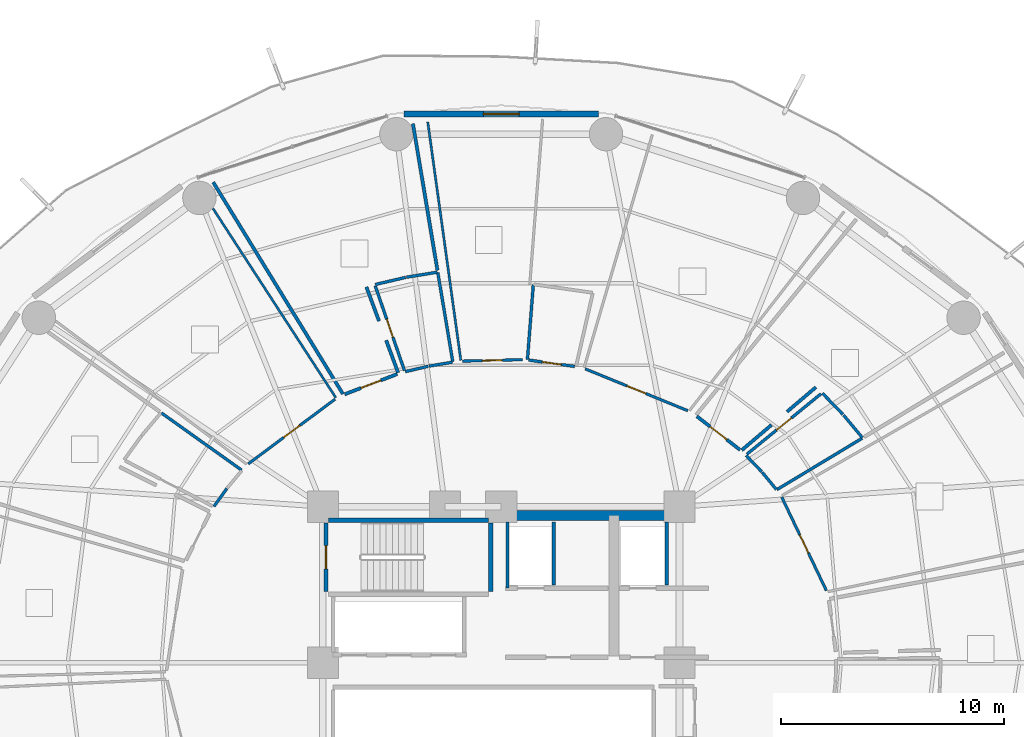
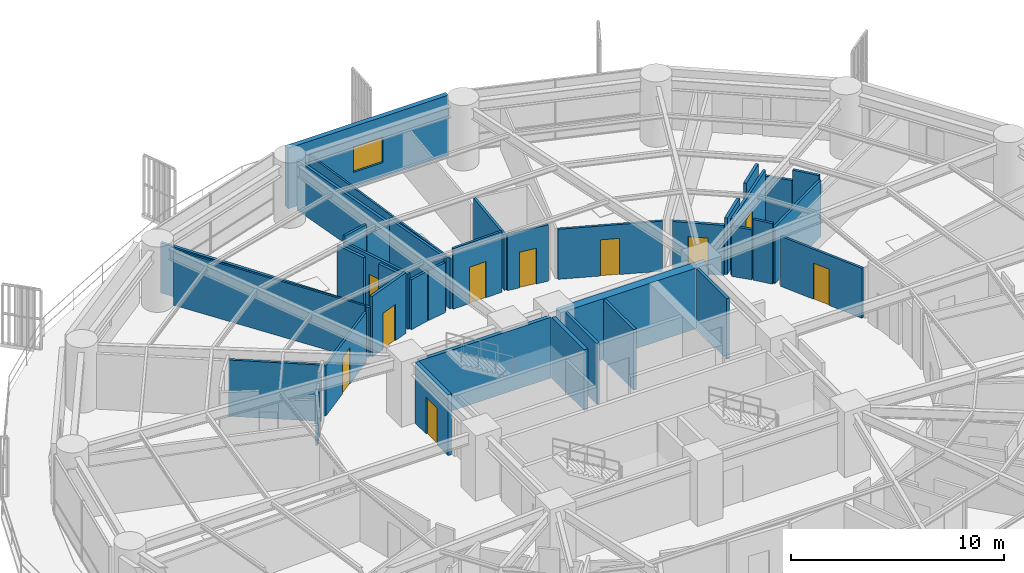
# One storey, part 26 of 33: 38 walls, 10 doors, 1 window, 11 openings.
"""IFC4 building model written with IfcOpenShell, lengths in metres."""

from ifc_helpers import new_model, si_unit, direction, frame, frame_2d, origin, place, context, subcontext, project, spatial, rectangle, extrude, material, layer, layer_set, type_object, element, fill, save


model = new_model("IFC4")

# Units and contexts
model_context = context("Model", 3, precision=1e-05, world=origin(), true_north=direction((0.0, 1.0)))
body_context = subcontext(model_context, "Body", "Model", "MODEL_VIEW")
ifc_project = project(units=[si_unit("LENGTHUNIT", "METRE"), si_unit("AREAUNIT", "SQUARE_METRE"), si_unit("VOLUMEUNIT", "CUBIC_METRE"), si_unit("PLANEANGLEUNIT", "RADIAN"), si_unit("MASSUNIT", "GRAM", prefix="KILO")], contexts=[model_context])

# Site, building, storey
site_placement = place(None, origin())
site = spatial("IfcSite", under=ifc_project, at=site_placement, CompositionType="ELEMENT")
building_placement = place(site_placement, origin())
building = spatial("IfcBuilding", under=site, at=building_placement, Name="Kelanora Arch Commons", CompositionType="ELEMENT")
storey_placement = place(building_placement, frame((0.0, 0.0, 37.5)))
storey = spatial("IfcBuildingStorey", under=building, at=storey_placement, Name="L09", CompositionType="ELEMENT", Elevation=37.5)

# Walls
ifc_material_1 = material(Name="Autoclaved aerated concrete blockwork with fire plaster", Category="masonry")
ifc_layer_1 = layer(ifc_material_1, 0.14990234375)
ifc_layer_set_1 = layer_set([ifc_layer_1], Name="Autoclaved aerated concrete blockwork with fire plaster")
wall_type_1 = type_object("IfcWallType", Name="W-COMP-150", PredefinedType="PARTITIONING", material=ifc_layer_set_1)
wall_1_placement = place(storey_placement, frame((74.280029296875, 61.35009765625, 0.0), z_axis=(0.0, 0.0, 1.0), x_axis=(0.0, 1.0, 0.0)))
element("IfcWall", 1, at=wall_1_placement, inside=storey, type_object=wall_type_1, Name="Firefighting Lift 1 West Shaft Wall L09", PredefinedType="PARTITIONING", context=body_context, shape_type="SweptSolid", body=[
    extrude(rectangle(XDim=2.969970703125, YDim=0.14990234375, at=frame_2d((1.48486328125, 0.0))), origin(), (0.0, 0.0, 1.0), 3.47998046875),
])
for number, where, z_axis, x_axis, name in (
    (2, (76.360107421875, 61.47998046875, 0.0), (0.0, 0.0, 1.0), (0.0, 1.0, 0.0), "Firefighting Lift 1 East Shaft Wall L09"),
    (3, (81.419921875, 61.47998046875, 0.0), (0.0, 0.0, 1.0), (0.0, 1.0, 0.0), "Firefighting Lift 2 East Shaft Wall L09"),
):
    element("IfcWall", number, at=place(storey_placement, frame(where, z_axis=z_axis, x_axis=x_axis)), inside=storey, type_object=wall_type_1, Name=name, PredefinedType="PARTITIONING", context=body_context, shape_type="SweptSolid", body=[
        extrude(rectangle(XDim=2.840087890625, YDim=0.14990234375, at=frame_2d((1.419921875, 0.0))), origin(), (0.0, 0.0, 1.0), 3.47998046875),
    ])

# Wall, opening, door
wall_2_placement = place(storey_placement, frame((84.716552734375, 67.5498046875, 0.0), z_axis=(0.0, 0.0, 1.0), x_axis=(-0.78945378775, 0.613810000739, 0.0)))
wall_2 = element("IfcWall", 4, at=wall_2_placement, inside=storey, type_object=wall_type_1, Name="Co-Living Studio L09-06 Entry Partition", PredefinedType="PARTITIONING", context=body_context, shape_type="SweptSolid", body=[
    extrude(rectangle(XDim=2.458984375, YDim=0.14990234375, at=frame_2d((1.2294921875, 0.0))), origin(), (0.0, 0.0, 1.0), 2.875),
])
opening_1_placement = place(wall_2_placement, frame((0.75390625, 0.0, 0.0)))
opening_1 = element("IfcOpeningElement", 5, at=opening_1_placement, cuts=wall_2, Name="Opening D-CLU1", PredefinedType="OPENING", context=body_context, shape_type="SweptSolid", body=[
    extrude(rectangle(XDim=0.949951171875, YDim=2.080078125, at=frame_2d((0.47509765625, 1.0400390625))), frame((0.0, 0.0849609375, 0.0), z_axis=(0.0, -1.0, 0.0), x_axis=(1.0, 0.0, 0.0)), (0.0, 0.0, 1.0), 0.169921875),
])
ifc_material_2 = material(Name="Solid-core acoustic timber cluster entry fire door", Category="wood")
door_type_1 = type_object("IfcDoorType", Name="D-CLU-95", OperationType="NOTDEFINED", PredefinedType="DOOR", material=ifc_material_2)
door_1_placement = place(opening_1_placement, origin())
door_1 = element("IfcDoor", 6, at=door_1_placement, inside=storey, type_object=door_type_1, Name="Co-Living Studio L09-06 Door", OperationType="SINGLE_SWING_RIGHT", OverallHeight=2.080078125, OverallWidth=0.949951171875, PredefinedType="DOOR", context=body_context, shape_type="SweptSolid", body=[
    extrude(rectangle(XDim=0.949951171875, YDim=2.080078125, at=frame_2d((0.47509765625, 1.0400390625))), frame((0.0, 0.02490234375, 0.0), z_axis=(0.0, -1.0, 0.0), x_axis=(1.0, 0.0, 0.0)), (0.0, 0.0, 1.0), 0.050048828125),
])
fill(opening_1, door_1)

wall_3_placement = place(storey_placement, frame((69.333984375, 70.951416015625, 0.0), z_axis=(0.0, 0.0, 1.0), x_axis=(-0.933283302704, -0.35914102647, 0.0)))
wall_3 = element("IfcWall", 7, at=wall_3_placement, inside=storey, type_object=wall_type_1, Name="Co-Living Studio L09-09 Entry Partition", PredefinedType="PARTITIONING", context=body_context, shape_type="SweptSolid", body=[
    extrude(rectangle(XDim=2.525390625, YDim=0.14990234375, at=frame_2d((1.2626953125, 0.0))), origin(), (0.0, 0.0, 1.0), 3.47998046875),
])
opening_2_placement = place(wall_3_placement, frame((0.7880859375, 0.0, 0.0)))
opening_2 = element("IfcOpeningElement", 8, at=opening_2_placement, cuts=wall_3, Name="Opening D-CLU1", PredefinedType="OPENING", context=body_context, shape_type="SweptSolid", body=[
    extrude(rectangle(XDim=0.949951171875, YDim=2.080078125, at=frame_2d((0.47509765625, 1.0400390625))), frame((0.0, 0.0849609375, 0.0), z_axis=(0.0, -1.0, 0.0), x_axis=(1.0, 0.0, 0.0)), (0.0, 0.0, 1.0), 0.169921875),
])
door_2_placement = place(opening_2_placement, origin())
door_2 = element("IfcDoor", 9, at=door_2_placement, inside=storey, type_object=door_type_1, Name="Co-Living Studio L09-09 Door", OperationType="SINGLE_SWING_LEFT", OverallHeight=2.080078125, OverallWidth=0.949951171875, PredefinedType="DOOR", context=body_context, shape_type="SweptSolid", body=[
    extrude(rectangle(XDim=0.949951171875, YDim=2.080078125, at=frame_2d((0.47509765625, 1.0400390625))), frame((0.0, 0.02490234375, 0.0), z_axis=(0.0, -1.0, 0.0), x_axis=(1.0, 0.0, 0.0)), (0.0, 0.0, 1.0), 0.050048828125),
])
fill(opening_2, door_2)

# Walls
wall_4_placement = place(storey_placement, frame((88.12158203125, 70.364990234375, 0.0), z_axis=(0.0, 0.0, 1.0), x_axis=(-0.762159009155, -0.647389870761, 0.0)))
element("IfcWall", 10, at=wall_4_placement, inside=storey, type_object=wall_type_1, Name="Co-Living Studio L09-06 Enclosure Partition 7", PredefinedType="PARTITIONING", context=body_context, shape_type="SweptSolid", body=[
    extrude(rectangle(XDim=1.69970703125, YDim=0.14990234375, at=frame_2d((0.849853515625, 0.0))), origin(), (0.0, 0.0, 1.0), 3.47998046875),
])
wall_5_placement = place(storey_placement, frame((86.124755859375, 68.6689453125, 0.0), z_axis=(0.0, 0.0, 1.0), x_axis=(-0.762122187233, -0.647433217967, 0.0)))
element("IfcWall", 11, at=wall_5_placement, inside=storey, type_object=wall_type_1, Name="Co-Living Studio L09-06 Enclosure Partition 7", PredefinedType="PARTITIONING", context=body_context, shape_type="SweptSolid", body=[
    extrude(rectangle(XDim=1.74560546875, YDim=0.14990234375, at=frame_2d((0.872802734375, 0.0))), origin(), (0.0, 0.0, 1.0), 3.235107421875),
])
wall_6_placement = place(storey_placement, frame((66.900146484375, 70.05712890625, 0.0), z_axis=(0.0, 0.0, 1.0), x_axis=(-0.522434140672, 0.852679640111, 0.0)))
element("IfcWall", 12, at=wall_6_placement, inside=storey, type_object=wall_type_1, Name="Co-Living Studio L09-09 Enclosure Partition 2", PredefinedType="PARTITIONING", context=body_context, shape_type="SweptSolid", body=[
    extrude(rectangle(XDim=11.14453125, YDim=0.14990234375, at=frame_2d((5.572265625, 0.0))), origin(), (0.0, 0.0, 1.0), 2.875),
])
wall_7_placement = place(storey_placement, frame((70.03955078125, 82.1845703125, 0.0), z_axis=(0.0, 0.0, 1.0), x_axis=(0.165051905183, -0.986284882068, 0.0)))
element("IfcWall", 13, at=wall_7_placement, inside=storey, type_object=wall_type_1, Name="Co-Living Studio L09-09 Enclosure Partition 5", PredefinedType="PARTITIONING", context=body_context, shape_type="SweptSolid", body=[
    extrude(rectangle(XDim=6.669677734375, YDim=0.14990234375, at=frame_2d((3.3349609375, 0.0))), origin(), (0.0, 0.0, 1.0), 2.875),
])
wall_8_placement = place(storey_placement, frame((67.952880859375, 74.859619140625, 0.0), z_axis=(0.0, 0.0, 1.0), x_axis=(0.346856200849, -0.937918320502, 0.0)))
element("IfcWall", 14, at=wall_8_placement, inside=storey, type_object=wall_type_1, Name="Co-Living Studio L09-09 Enclosure Partition 7", PredefinedType="PARTITIONING", context=body_context, shape_type="SweptSolid", body=[
    extrude(rectangle(XDim=1.631591796875, YDim=0.14990234375, at=frame_2d((0.81591796875, 0.0))), origin(), (0.0, 0.0, 1.0), 3.175048828125),
])
wall_9_placement = place(storey_placement, frame((68.837890625, 72.46630859375, 0.0), z_axis=(0.0, 0.0, 1.0), x_axis=(0.346827635281, -0.937928883981, 0.0)))
element("IfcWall", 15, at=wall_9_placement, inside=storey, type_object=wall_type_1, Name="Co-Living Studio L09-09 Enclosure Partition 7", PredefinedType="PARTITIONING", context=body_context, shape_type="SweptSolid", body=[
    extrude(rectangle(XDim=1.55224609375, YDim=0.14990234375, at=frame_2d((0.776123046875, 0.0))), origin(), (0.0, 0.0, 1.0), 3.235107421875),
])
ifc_material_3 = material(Name="Concrete C60/75", Category="concrete")
ifc_layer_2 = layer(ifc_material_3, 0.449951171875)
ifc_layer_set_2 = layer_set([ifc_layer_2], Name="Concrete C60/75")
wall_type_2 = type_object("IfcWallType", Name="W-CORE-450", PredefinedType="SHEAR", material=ifc_layer_set_2)
wall_10_placement = place(storey_placement, frame((74.0, 64.60009765625, 0.0), z_axis=(0.0, 0.0, 1.0), x_axis=(1.0, 0.0, 0.0)))
element("IfcWall", 16, at=wall_10_placement, inside=storey, type_object=wall_type_2, Name="Core Shear Spine L09-CN-E", PredefinedType="SHEAR", context=body_context, shape_type="SweptSolid", body=[
    extrude(rectangle(XDim=8.0, YDim=0.449951171875, at=frame_2d((4.0, 0.0))), origin(), (0.0, 0.0, 1.0), 3.489990234375),
])

# Wall, opening, window
ifc_material_4 = material(Name="Precast concrete C40/50 with terracotta rainscreen", Category="masonry")
ifc_layer_3 = layer(ifc_material_4, 0.260009765625)
ifc_layer_set_3 = layer_set([ifc_layer_3], Name="Precast concrete C40/50 with terracotta rainscreen")
wall_type_3 = type_object("IfcWallType", Name="W-EXT-TC", PredefinedType="SOLIDWALL", material=ifc_layer_set_3)
wall_11_placement = place(storey_placement, frame((78.35595703125, 82.6201171875, 0.0), z_axis=(0.0, 0.0, 1.0), x_axis=(-1.0, 0.0, 0.0)))
wall_11 = element("IfcWall", 17, at=wall_11_placement, inside=storey, type_object=wall_type_3, Name="Terracotta Exterior Wall L09-B04", PredefinedType="SOLIDWALL", context=body_context, shape_type="SweptSolid", body=[
    extrude(rectangle(XDim=8.7119140625, YDim=0.260009765625, at=frame_2d((4.35595703125, 0.0))), origin(), (0.0, 0.0, 1.0), 3.47509765625),
])
opening_3_placement = place(wall_11_placement, frame((3.555908203125, 0.0, 0.85009765625)))
opening_3 = element("IfcOpeningElement", 18, at=opening_3_placement, cuts=wall_11, Name="Opening WN-01", PredefinedType="OPENING", context=body_context, shape_type="SweptSolid", body=[
    extrude(rectangle(XDim=1.60009765625, YDim=1.449951171875, at=frame_2d((0.800048828125, 0.72509765625))), frame((0.0, 0.14013671875, 0.0), z_axis=(0.0, -1.0, 0.0), x_axis=(1.0, 0.0, 0.0)), (0.0, 0.0, 1.0), 0.280029296875),
])
ifc_material_5 = material(Name="Terracotta-anodised aluminium frame with operable low-E glazing", Category="masonry")
window_type = type_object("IfcWindowType", Name="WIN-CL-18", PartitioningType="DOUBLE_PANEL_VERTICAL", PredefinedType="WINDOW", material=ifc_material_5)
window_placement = place(opening_3_placement, origin())
window = element("IfcWindow", 19, at=window_placement, inside=storey, type_object=window_type, Name="Co-Living Operable Window L09-B04", OverallHeight=1.449951171875, OverallWidth=1.60009765625, PartitioningType="SINGLE_PANEL", PredefinedType="WINDOW", context=body_context, shape_type="SweptSolid", body=[
    extrude(rectangle(XDim=1.60009765625, YDim=1.449951171875, at=frame_2d((0.800048828125, 0.72509765625))), frame((0.0, 0.030029296875, 0.0), z_axis=(0.0, -1.0, 0.0), x_axis=(1.0, 0.0, 0.0)), (0.0, 0.0, 1.0), 0.06005859375),
])
fill(opening_3, window)

# Walls
ifc_material_6 = material(Name="Lightweight fire-rated acoustic stud partition")
ifc_layer_4 = layer(ifc_material_6, 0.10009765625)
ifc_layer_set_4 = layer_set([ifc_layer_4], Name="Lightweight fire-rated acoustic stud partition")
wall_type_4 = type_object("IfcWallType", Name="W-PART-100", PredefinedType="PARTITIONING", material=ifc_layer_set_4)
wall_12_placement = place(storey_placement, frame((72.1884765625, 71.570556640625, 0.0), z_axis=(0.0, 0.0, 1.0), x_axis=(-0.137456200911, 0.990507845921, 0.0)))
element("IfcWall", 20, at=wall_12_placement, inside=storey, type_object=wall_type_4, Name="Tutorial Study Alcove L09-08 Enclosure Partition 2", PredefinedType="PARTITIONING", context=body_context, shape_type="SweptSolid", body=[
    extrude(rectangle(XDim=10.79541015625, YDim=0.10009765625, at=frame_2d((5.397705078125, 0.0))), origin(), (0.0, 0.0, 1.0), 2.875),
])
wall_13_placement = place(storey_placement, frame((61.071044921875, 78.377197265625, 0.0), z_axis=(0.0, 0.0, 1.0), x_axis=(0.544546108356, -0.838730907904, 0.0)))
element("IfcWall", 21, at=wall_13_placement, inside=storey, type_object=wall_type_4, Name="Social Sky Lounge L09-10 Enclosure Partition 4", PredefinedType="PARTITIONING", context=body_context, shape_type="SweptSolid", body=[
    extrude(rectangle(XDim=10.111328125, YDim=0.10009765625, at=frame_2d((5.0556640625, 0.0))), origin(), (0.0, 0.0, 1.0), 3.175048828125),
])

# Wall, opening, door
ifc_material_7 = material(Name="Acoustic twin-stud fire-rated gypsum partition")
ifc_layer_5 = layer(ifc_material_7, 0.1201171875)
ifc_layer_set_5 = layer_set([ifc_layer_5], Name="Acoustic twin-stud fire-rated gypsum partition")
wall_type_5 = type_object("IfcWallType", Name="W-PART-120", PredefinedType="PARTITIONING", material=ifc_layer_set_5)
wall_14_placement = place(storey_placement, frame((88.589111328125, 61.236083984375, 0.0), z_axis=(0.0, 0.0, 1.0), x_axis=(-0.430743204219, 0.902474538155, 0.0)))
wall_14 = element("IfcWall", 22, at=wall_14_placement, inside=storey, type_object=wall_type_5, Name="Social Sky Lounge L09-05 Entry Partition", PredefinedType="PARTITIONING", context=body_context, shape_type="SweptSolid", body=[
    extrude(rectangle(XDim=4.64599609375, YDim=0.1201171875, at=frame_2d((2.322998046875, 0.0))), origin(), (0.0, 0.0, 1.0), 2.875),
])
opening_4_placement = place(wall_14_placement, frame((1.873046875, 0.0, 0.0)))
opening_4 = element("IfcOpeningElement", 23, at=opening_4_placement, cuts=wall_14, Name="Opening D-RM1", PredefinedType="OPENING", context=body_context, shape_type="SweptSolid", body=[
    extrude(rectangle(XDim=0.89990234375, YDim=2.080078125, at=frame_2d((0.449951171875, 1.0400390625))), frame((0.0, 0.070068359375, 0.0), z_axis=(0.0, -1.0, 0.0), x_axis=(1.0, 0.0, 0.0)), (0.0, 0.0, 1.0), 0.14013671875),
])
ifc_material_8 = material(Name="Acoustic fire-rated timber study and lounge door", Category="wood")
door_type_2 = type_object("IfcDoorType", Name="D-ROOM-90", OperationType="NOTDEFINED", PredefinedType="DOOR", material=ifc_material_8)
door_3_placement = place(opening_4_placement, origin())
door_3 = element("IfcDoor", 24, at=door_3_placement, inside=storey, type_object=door_type_2, Name="Social Sky Lounge L09-05 Door", OperationType="SINGLE_SWING_RIGHT", OverallHeight=2.080078125, OverallWidth=0.89990234375, PredefinedType="DOOR", context=body_context, shape_type="SweptSolid", body=[
    extrude(rectangle(XDim=0.89990234375, YDim=2.080078125, at=frame_2d((0.449951171875, 1.0400390625))), frame((0.0, 0.02490234375, 0.0), z_axis=(0.0, -1.0, 0.0), x_axis=(1.0, 0.0, 0.0)), (0.0, 0.0, 1.0), 0.050048828125),
])
fill(opening_4, door_3)

wall_15_placement = place(storey_placement, frame((82.370361328125, 69.30859375, 0.0), z_axis=(0.0, 0.0, 1.0), x_axis=(-0.925986810505, 0.377555859139, 0.0)))
wall_15 = element("IfcWall", 25, at=wall_15_placement, inside=storey, type_object=wall_type_5, Name="Quiet Seminar Study Room L09-07 Entry Partition", PredefinedType="PARTITIONING", context=body_context, shape_type="SweptSolid", body=[
    extrude(rectangle(XDim=4.970703125, YDim=0.1201171875, at=frame_2d((2.4853515625, 0.0))), origin(), (0.0, 0.0, 1.0), 2.875),
])
opening_5_placement = place(wall_15_placement, frame((2.034912109375, 0.0, 0.0)))
opening_5 = element("IfcOpeningElement", 26, at=opening_5_placement, cuts=wall_15, Name="Opening D-RM1", PredefinedType="OPENING", context=body_context, shape_type="SweptSolid", body=[
    extrude(rectangle(XDim=0.89990234375, YDim=2.080078125, at=frame_2d((0.449951171875, 1.0400390625))), frame((0.0, 0.070068359375, 0.0), z_axis=(0.0, -1.0, 0.0), x_axis=(1.0, 0.0, 0.0)), (0.0, 0.0, 1.0), 0.14013671875),
])
door_4_placement = place(opening_5_placement, origin())
door_4 = element("IfcDoor", 27, at=door_4_placement, inside=storey, type_object=door_type_2, Name="Quiet Seminar Study Room L09-07 Door", OperationType="SINGLE_SWING_LEFT", OverallHeight=2.080078125, OverallWidth=0.89990234375, PredefinedType="DOOR", context=body_context, shape_type="SweptSolid", body=[
    extrude(rectangle(XDim=0.89990234375, YDim=2.080078125, at=frame_2d((0.449951171875, 1.0400390625))), frame((0.0, 0.02490234375, 0.0), z_axis=(0.0, -1.0, 0.0), x_axis=(1.0, 0.0, 0.0)), (0.0, 0.0, 1.0), 0.050048828125),
])
fill(opening_5, door_4)

wall_16_placement = place(storey_placement, frame((74.958984375, 71.59765625, 0.0), z_axis=(0.0, 0.0, 1.0), x_axis=(-0.999709782288, -0.024090479411, 0.0)))
wall_16 = element("IfcWall", 28, at=wall_16_placement, inside=storey, type_object=wall_type_5, Name="Tutorial Study Alcove L09-08 Entry Partition", PredefinedType="PARTITIONING", context=body_context, shape_type="SweptSolid", body=[
    extrude(rectangle(XDim=2.705810546875, YDim=0.1201171875, at=frame_2d((1.35302734375, 0.0))), origin(), (0.0, 0.0, 1.0), 3.47998046875),
])
opening_6_placement = place(wall_16_placement, frame((0.903076171875, 0.0, 0.0)))
opening_6 = element("IfcOpeningElement", 29, at=opening_6_placement, cuts=wall_16, Name="Opening D-RM1", PredefinedType="OPENING", context=body_context, shape_type="SweptSolid", body=[
    extrude(rectangle(XDim=0.89990234375, YDim=2.080078125, at=frame_2d((0.449951171875, 1.0400390625))), frame((0.0, 0.070068359375, 0.0), z_axis=(0.0, -1.0, 0.0), x_axis=(1.0, 0.0, 0.0)), (0.0, 0.0, 1.0), 0.14013671875),
])
door_5_placement = place(opening_6_placement, origin())
door_5 = element("IfcDoor", 30, at=door_5_placement, inside=storey, type_object=door_type_2, Name="Tutorial Study Alcove L09-08 Door", OperationType="SINGLE_SWING_LEFT", OverallHeight=2.080078125, OverallWidth=0.89990234375, PredefinedType="DOOR", context=body_context, shape_type="SweptSolid", body=[
    extrude(rectangle(XDim=0.89990234375, YDim=2.080078125, at=frame_2d((0.449951171875, 1.0400390625))), frame((0.0, 0.02490234375, 0.0), z_axis=(0.0, -1.0, 0.0), x_axis=(1.0, 0.0, 0.0)), (0.0, 0.0, 1.0), 0.050048828125),
])
fill(opening_6, door_5)

wall_17_placement = place(storey_placement, frame((66.55078125, 69.8271484375, 0.0), z_axis=(0.0, 0.0, 1.0), x_axis=(-0.801966818386, -0.597368581537, 0.0)))
wall_17 = element("IfcWall", 31, at=wall_17_placement, inside=storey, type_object=wall_type_5, Name="Social Sky Lounge L09-10 Entry Partition", PredefinedType="PARTITIONING", context=body_context, shape_type="SweptSolid", body=[
    extrude(rectangle(XDim=4.860107421875, YDim=0.1201171875, at=frame_2d((2.43017578125, 0.0))), origin(), (0.0, 0.0, 1.0), 2.875),
])
opening_7_placement = place(wall_17_placement, frame((1.97998046875, 0.0, 0.0)))
opening_7 = element("IfcOpeningElement", 32, at=opening_7_placement, cuts=wall_17, Name="Opening D-RM1", PredefinedType="OPENING", context=body_context, shape_type="SweptSolid", body=[
    extrude(rectangle(XDim=0.89990234375, YDim=2.080078125, at=frame_2d((0.449951171875, 1.0400390625))), frame((0.0, 0.070068359375, 0.0), z_axis=(0.0, -1.0, 0.0), x_axis=(1.0, 0.0, 0.0)), (0.0, 0.0, 1.0), 0.14013671875),
])
door_6_placement = place(opening_7_placement, origin())
door_6 = element("IfcDoor", 33, at=door_6_placement, inside=storey, type_object=door_type_2, Name="Social Sky Lounge L09-10 Door", OperationType="SINGLE_SWING_RIGHT", OverallHeight=2.080078125, OverallWidth=0.89990234375, PredefinedType="DOOR", context=body_context, shape_type="SweptSolid", body=[
    extrude(rectangle(XDim=0.89990234375, YDim=2.080078125, at=frame_2d((0.449951171875, 1.0400390625))), frame((0.0, 0.02490234375, 0.0), z_axis=(0.0, -1.0, 0.0), x_axis=(1.0, 0.0, 0.0)), (0.0, 0.0, 1.0), 0.050048828125),
])
fill(opening_7, door_6)

# Walls
ifc_material_9 = material(Name="Concrete C40/50", Category="concrete")
ifc_layer_6 = layer(ifc_material_9, 0.199951171875)
ifc_layer_set_6 = layer_set([ifc_layer_6], Name="Concrete C40/50")
wall_type_6 = type_object("IfcWallType", Name="W-STAIR-200", PredefinedType="SHEAR", material=ifc_layer_set_6)
wall_18_placement = place(storey_placement, frame((73.5400390625, 61.199951171875, 0.0), z_axis=(0.0, 0.0, 1.0), x_axis=(0.0, 1.0, 0.0)))
element("IfcWall", 34, at=wall_18_placement, inside=storey, type_object=wall_type_6, Name="Stair ST-T1 Shaft Wall E L09", PredefinedType="SHEAR", context=body_context, shape_type="SweptSolid", body=[
    extrude(rectangle(XDim=3.070068359375, YDim=0.199951171875, at=frame_2d((1.53515625, 0.0))), origin(), (0.0, 0.0, 1.0), 3.489990234375),
])
wall_19_placement = place(storey_placement, frame((73.419921875, 64.389892578125, 0.0), z_axis=(0.0, 0.0, 1.0), x_axis=(-1.0, 0.0, 0.0)))
element("IfcWall", 35, at=wall_19_placement, inside=storey, type_object=wall_type_6, Name="Stair ST-T1 Shaft Wall N L09", PredefinedType="SHEAR", context=body_context, shape_type="SweptSolid", body=[
    extrude(rectangle(XDim=7.159912109375, YDim=0.199951171875, at=frame_2d((3.580078125, 0.0))), origin(), (0.0, 0.0, 1.0), 3.489990234375),
])

# Wall, opening, door
wall_20_placement = place(storey_placement, frame((66.139892578125, 64.27001953125, 0.0), z_axis=(0.0, 0.0, 1.0), x_axis=(0.0, -1.0, 0.0)))
wall_20 = element("IfcWall", 36, at=wall_20_placement, inside=storey, type_object=wall_type_6, Name="Stair ST-T1 Shaft Wall W L09", PredefinedType="SHEAR", context=body_context, shape_type="SweptSolid", body=[
    extrude(rectangle(XDim=3.070068359375, YDim=0.199951171875, at=frame_2d((1.53515625, 0.0))), origin(), (0.0, 0.0, 1.0), 3.489990234375),
])
opening_8_placement = place(wall_20_placement, frame((1.010009765625, 0.0, 0.0)))
opening_8 = element("IfcOpeningElement", 37, at=opening_8_placement, cuts=wall_20, Name="Opening D-ST1", PredefinedType="OPENING", context=body_context, shape_type="SweptSolid", body=[
    extrude(rectangle(XDim=1.050048828125, YDim=2.10009765625, at=frame_2d((0.52490234375, 1.050048828125))), frame((0.0, 0.10986328125, 0.0), z_axis=(0.0, -1.0, 0.0), x_axis=(1.0, 0.0, 0.0)), (0.0, 0.0, 1.0), 0.219970703125),
])
ifc_material_10 = material(Name="Steel fire-rated stairwell escape door", Category="steel")
door_type_3 = type_object("IfcDoorType", Name="D-STAIR-110", OperationType="NOTDEFINED", PredefinedType="DOOR", material=ifc_material_10)
door_7_placement = place(opening_8_placement, origin())
door_7 = element("IfcDoor", 38, at=door_7_placement, inside=storey, type_object=door_type_3, Name="Stair ST-T1 Escape Door L09", OperationType="SINGLE_SWING_LEFT", OverallHeight=2.10009765625, OverallWidth=1.050048828125, PredefinedType="DOOR", context=body_context, shape_type="SweptSolid", body=[
    extrude(rectangle(XDim=1.050048828125, YDim=2.10009765625, at=frame_2d((0.52490234375, 1.050048828125))), frame((0.0, 0.02490234375, 0.0), z_axis=(0.0, -1.0, 0.0), x_axis=(1.0, 0.0, 0.0)), (0.0, 0.0, 1.0), 0.050048828125),
])
fill(opening_8, door_7)

ifc_material_11 = material(Name="Moisture-resistant fire-rated cement-board plumbing wall")
ifc_layer_7 = layer(ifc_material_11, 0.1298828125)
ifc_layer_set_7 = layer_set([ifc_layer_7], Name="Moisture-resistant fire-rated cement-board plumbing wall")
wall_type_7 = type_object("IfcWallType", Name="W-WET-120", PredefinedType="PLUMBINGWALL", material=ifc_layer_set_7)
wall_21_placement = place(storey_placement, frame((85.0185546875, 67.352783203125, 0.0), z_axis=(0.0, 0.0, 1.0), x_axis=(0.775195837983, 0.631720992823, 0.0)))
wall_21 = element("IfcWall", 39, at=wall_21_placement, inside=storey, type_object=wall_type_7, Name="En-Suite Shower WC L09-06 Entry Partition", PredefinedType="PLUMBINGWALL", context=body_context, shape_type="SweptSolid", body=[
    extrude(rectangle(XDim=4.29833984375, YDim=0.1298828125, at=frame_2d((2.149169921875, 0.0))), origin(), (0.0, 0.0, 1.0), 3.235107421875),
])
opening_9_placement = place(wall_21_placement, frame((1.718994140625, 0.0, 0.0)))
opening_9 = element("IfcOpeningElement", 40, at=opening_9_placement, cuts=wall_21, Name="Opening D-BT1", PredefinedType="OPENING", context=body_context, shape_type="SweptSolid", body=[
    extrude(rectangle(XDim=0.860107421875, YDim=2.050048828125, at=frame_2d((0.43017578125, 1.02490234375))), frame((0.0, 0.074951171875, 0.0), z_axis=(0.0, -1.0, 0.0), x_axis=(1.0, 0.0, 0.0)), (0.0, 0.0, 1.0), 0.14990234375),
])
ifc_material_12 = material(Name="Moisture-sealed fire-rated accessible bathroom door")
door_type_4 = type_object("IfcDoorType", Name="D-BATH-85", OperationType="NOTDEFINED", PredefinedType="DOOR", material=ifc_material_12)
door_8_placement = place(opening_9_placement, origin())
door_8 = element("IfcDoor", 41, at=door_8_placement, inside=storey, type_object=door_type_4, Name="En-Suite Shower WC L09-06 Door", OperationType="SINGLE_SWING_LEFT", OverallHeight=2.050048828125, OverallWidth=0.860107421875, PredefinedType="DOOR", context=body_context, shape_type="SweptSolid", body=[
    extrude(rectangle(XDim=0.860107421875, YDim=2.050048828125, at=frame_2d((0.43017578125, 1.02490234375))), frame((0.0, 0.02490234375, 0.0), z_axis=(0.0, -1.0, 0.0), x_axis=(1.0, 0.0, 0.0)), (0.0, 0.0, 1.0), 0.050048828125),
])
fill(opening_9, door_8)

wall_22_placement = place(storey_placement, frame((77.295654296875, 71.294189453125, 0.0), z_axis=(0.0, 0.0, 1.0), x_axis=(-0.990525563984, 0.137328464257, 0.0)))
wall_22 = element("IfcWall", 42, at=wall_22_placement, inside=storey, type_object=wall_type_7, Name="Accessible Shared Floor WC L09-08 Entry Partition", PredefinedType="PLUMBINGWALL", context=body_context, shape_type="SweptSolid", body=[
    extrude(rectangle(XDim=2.080078125, YDim=0.1298828125, at=frame_2d((1.0400390625, 0.0))), origin(), (0.0, 0.0, 1.0), 3.235107421875),
])
opening_10_placement = place(wall_22_placement, frame((0.610107421875, 0.0, 0.0)))
opening_10 = element("IfcOpeningElement", 43, at=opening_10_placement, cuts=wall_22, Name="Opening D-BT1", PredefinedType="OPENING", context=body_context, shape_type="SweptSolid", body=[
    extrude(rectangle(XDim=0.860107421875, YDim=2.050048828125, at=frame_2d((0.43017578125, 1.02490234375))), frame((0.0, 0.074951171875, 0.0), z_axis=(0.0, -1.0, 0.0), x_axis=(1.0, 0.0, 0.0)), (0.0, 0.0, 1.0), 0.14990234375),
])
door_9_placement = place(opening_10_placement, origin())
door_9 = element("IfcDoor", 44, at=door_9_placement, inside=storey, type_object=door_type_4, Name="Accessible Shared Floor WC L09-08 Door", OperationType="SINGLE_SWING_RIGHT", OverallHeight=2.050048828125, OverallWidth=0.860107421875, PredefinedType="DOOR", context=body_context, shape_type="SweptSolid", body=[
    extrude(rectangle(XDim=0.860107421875, YDim=2.050048828125, at=frame_2d((0.43017578125, 1.02490234375))), frame((0.0, 0.02490234375, 0.0), z_axis=(0.0, -1.0, 0.0), x_axis=(1.0, 0.0, 0.0)), (0.0, 0.0, 1.0), 0.050048828125),
])
fill(opening_10, door_9)

wall_23_placement = place(storey_placement, frame((69.658447265625, 71.110595703125, 0.0), z_axis=(0.0, 0.0, 1.0), x_axis=(-0.326056236537, 0.945350374525, 0.0)))
wall_23 = element("IfcWall", 45, at=wall_23_placement, inside=storey, type_object=wall_type_7, Name="En-Suite Shower WC L09-09 Entry Partition", PredefinedType="PLUMBINGWALL", context=body_context, shape_type="SweptSolid", body=[
    extrude(rectangle(XDim=4.01708984375, YDim=0.1298828125, at=frame_2d((2.008544921875, 0.0))), origin(), (0.0, 0.0, 1.0), 3.175048828125),
])
opening_11_placement = place(wall_23_placement, frame((1.5791015625, 0.0, 0.0)))
opening_11 = element("IfcOpeningElement", 46, at=opening_11_placement, cuts=wall_23, Name="Opening D-BT1", PredefinedType="OPENING", context=body_context, shape_type="SweptSolid", body=[
    extrude(rectangle(XDim=0.860107421875, YDim=2.050048828125, at=frame_2d((0.43017578125, 1.02490234375))), frame((0.0, 0.074951171875, 0.0), z_axis=(0.0, -1.0, 0.0), x_axis=(1.0, 0.0, 0.0)), (0.0, 0.0, 1.0), 0.14990234375),
])
door_10_placement = place(opening_11_placement, origin())
door_10 = element("IfcDoor", 47, at=door_10_placement, inside=storey, type_object=door_type_4, Name="En-Suite Shower WC L09-09 Door", OperationType="SINGLE_SWING_RIGHT", OverallHeight=2.050048828125, OverallWidth=0.860107421875, PredefinedType="DOOR", context=body_context, shape_type="SweptSolid", body=[
    extrude(rectangle(XDim=0.860107421875, YDim=2.050048828125, at=frame_2d((0.43017578125, 1.02490234375))), frame((0.0, 0.02490234375, 0.0), z_axis=(0.0, -1.0, 0.0), x_axis=(1.0, 0.0, 0.0)), (0.0, 0.0, 1.0), 0.050048828125),
])
fill(opening_11, door_10)

# Walls
wall_24_placement = place(storey_placement, frame((86.34423828125, 65.7744140625, 0.0), z_axis=(0.0, 0.0, 1.0), x_axis=(-0.636401138893, 0.771358276299, 0.0)))
element("IfcWall", 48, at=wall_24_placement, inside=storey, type_object=wall_type_7, Name="En-Suite Shower WC L09-06 Enclosure Partition 1", PredefinedType="PLUMBINGWALL", context=body_context, shape_type="SweptSolid", body=[
    extrude(rectangle(XDim=0.99853515625, YDim=0.1298828125, at=frame_2d((0.499267578125, 0.0))), origin(), (0.0, 0.0, 1.0), 3.47998046875),
])
wall_25_placement = place(storey_placement, frame((85.68212890625, 66.574462890625, 0.0), z_axis=(0.0, 0.0, 1.0), x_axis=(-0.692147793157, 0.721755798334, 0.0)))
element("IfcWall", 49, at=wall_25_placement, inside=storey, type_object=wall_type_7, Name="En-Suite Shower WC L09-06 Enclosure Partition 2", PredefinedType="PLUMBINGWALL", context=body_context, shape_type="SweptSolid", body=[
    extrude(rectangle(XDim=1.006103515625, YDim=0.1298828125, at=frame_2d((0.5029296875, 0.0))), origin(), (0.0, 0.0, 1.0), 2.875),
])
wall_26_placement = place(storey_placement, frame((88.410888671875, 70.091552734375, 0.0), z_axis=(0.0, 0.0, 1.0), x_axis=(0.695307837391, -0.718712050311, 0.0)))
element("IfcWall", 50, at=wall_26_placement, inside=storey, type_object=wall_type_7, Name="En-Suite Shower WC L09-06 Enclosure Partition 4", PredefinedType="PLUMBINGWALL", context=body_context, shape_type="SweptSolid", body=[
    extrude(rectangle(XDim=1.32470703125, YDim=0.1298828125, at=frame_2d((0.662353515625, 0.0))), origin(), (0.0, 0.0, 1.0), 2.875),
])
wall_27_placement = place(storey_placement, frame((89.35888671875, 69.109619140625, 0.0), z_axis=(0.0, 0.0, 1.0), x_axis=(0.640366952349, -0.7680691156, 0.0)))
element("IfcWall", 51, at=wall_27_placement, inside=storey, type_object=wall_type_7, Name="En-Suite Shower WC L09-06 Enclosure Partition 5", PredefinedType="PLUMBINGWALL", context=body_context, shape_type="SweptSolid", body=[
    extrude(rectangle(XDim=1.3154296875, YDim=0.1298828125, at=frame_2d((0.65771484375, 0.0))), origin(), (0.0, 0.0, 1.0), 3.47998046875),
])
wall_28_placement = place(storey_placement, frame((90.197021484375, 68.07373046875, 0.0), z_axis=(0.0, 0.0, 1.0), x_axis=(-0.856439095373, -0.516248075945, 0.0)))
element("IfcWall", 52, at=wall_28_placement, inside=storey, type_object=wall_type_7, Name="En-Suite Shower WC L09-06 Enclosure Partition 6", PredefinedType="PLUMBINGWALL", context=body_context, shape_type="SweptSolid", body=[
    extrude(rectangle(XDim=4.4638671875, YDim=0.1298828125, at=frame_2d((2.23193359375, 0.0))), origin(), (0.0, 0.0, 1.0), 3.235107421875),
])
wall_29_placement = place(storey_placement, frame((75.177490234375, 71.60791015625, 0.0), z_axis=(0.0, 0.0, 1.0), x_axis=(0.078246463122, 0.996934045466, 0.0)))
element("IfcWall", 53, at=wall_29_placement, inside=storey, type_object=wall_type_7, Name="Accessible Shared Floor WC L09-08 Enclosure Partition 2", PredefinedType="PLUMBINGWALL", context=body_context, shape_type="SweptSolid", body=[
    extrude(rectangle(XDim=3.3603515625, YDim=0.1298828125, at=frame_2d((1.68017578125, 0.0))), origin(), (0.0, 0.0, 1.0), 3.175048828125),
])
wall_30_placement = place(storey_placement, frame((71.810302734375, 71.483642578125, 0.0), z_axis=(0.0, 0.0, 1.0), x_axis=(-0.986536732665, -0.163539827269, 0.0)))
element("IfcWall", 54, at=wall_30_placement, inside=storey, type_object=wall_type_7, Name="En-Suite Shower WC L09-09 Enclosure Partition 1", PredefinedType="PLUMBINGWALL", context=body_context, shape_type="SweptSolid", body=[
    extrude(rectangle(XDim=1.059814453125, YDim=0.1298828125, at=frame_2d((0.52978515625, 0.0))), origin(), (0.0, 0.0, 1.0), 2.875),
])
wall_31_placement = place(storey_placement, frame((70.7255859375, 71.302490234375, 0.0), z_axis=(0.0, 0.0, 1.0), x_axis=(-0.972994310962, -0.230829094431, 0.0)))
element("IfcWall", 55, at=wall_31_placement, inside=storey, type_object=wall_type_7, Name="En-Suite Shower WC L09-09 Enclosure Partition 2", PredefinedType="PLUMBINGWALL", context=body_context, shape_type="SweptSolid", body=[
    extrude(rectangle(XDim=1.056640625, YDim=0.1298828125, at=frame_2d((0.5283203125, 0.0))), origin(), (0.0, 0.0, 1.0), 2.875),
])
wall_32_placement = place(storey_placement, frame((68.348388671875, 74.969482421875, 0.0), z_axis=(0.0, 0.0, 1.0), x_axis=(0.973677466502, 0.227930233241, 0.0)))
element("IfcWall", 56, at=wall_32_placement, inside=storey, type_object=wall_type_7, Name="En-Suite Shower WC L09-09 Enclosure Partition 4", PredefinedType="PLUMBINGWALL", context=body_context, shape_type="SweptSolid", body=[
    extrude(rectangle(XDim=1.39892578125, YDim=0.1298828125, at=frame_2d((0.699462890625, 0.0))), origin(), (0.0, 0.0, 1.0), 3.47998046875),
])
wall_33_placement = place(storey_placement, frame((69.749755859375, 75.296142578125, 0.0), z_axis=(0.0, 0.0, 1.0), x_axis=(0.986744598887, 0.162280918681, 0.0)))
element("IfcWall", 57, at=wall_33_placement, inside=storey, type_object=wall_type_7, Name="En-Suite Shower WC L09-09 Enclosure Partition 5", PredefinedType="PLUMBINGWALL", context=body_context, shape_type="SweptSolid", body=[
    extrude(rectangle(XDim=1.402099609375, YDim=0.1298828125, at=frame_2d((0.701171875, 0.0))), origin(), (0.0, 0.0, 1.0), 2.875),
])
wall_34_placement = place(storey_placement, frame((71.15625, 75.50732421875, 0.0), z_axis=(0.0, 0.0, 1.0), x_axis=(0.165267537024, -0.986248772474, 0.0)))
element("IfcWall", 58, at=wall_34_placement, inside=storey, type_object=wall_type_7, Name="En-Suite Shower WC L09-09 Enclosure Partition 6", PredefinedType="PLUMBINGWALL", context=body_context, shape_type="SweptSolid", body=[
    extrude(rectangle(XDim=4.056396484375, YDim=0.1298828125, at=frame_2d((2.0283203125, 0.0))), origin(), (0.0, 0.0, 1.0), 3.175048828125),
])
wall_35_placement = place(storey_placement, frame((61.6904296875, 65.819580078125, 0.0), z_axis=(0.0, 0.0, 1.0), x_axis=(-0.581843627684, -0.813300678054, 0.0)))
element("IfcWall", 59, at=wall_35_placement, inside=storey, type_object=wall_type_7, Name="En-Suite Shower WC L09-11 Enclosure Partition 2", PredefinedType="PLUMBINGWALL", context=body_context, shape_type="SweptSolid", body=[
    extrude(rectangle(XDim=0.991455078125, YDim=0.1298828125, at=frame_2d((0.49560546875, 0.0))), origin(), (0.0, 0.0, 1.0), 2.875),
])
wall_36_placement = place(storey_placement, frame((58.75537109375, 69.20751953125, 0.0), z_axis=(0.0, 0.0, 1.0), x_axis=(0.814438714594, -0.580249584378, 0.0)))
element("IfcWall", 60, at=wall_36_placement, inside=storey, type_object=wall_type_7, Name="En-Suite Shower WC L09-11 Enclosure Partition 6", PredefinedType="PLUMBINGWALL", context=body_context, shape_type="SweptSolid", body=[
    extrude(rectangle(XDim=4.4169921875, YDim=0.1298828125, at=frame_2d((2.20849609375, 0.0))), origin(), (0.0, 0.0, 1.0), 3.235107421875),
])

save(model, "model.ifc")
